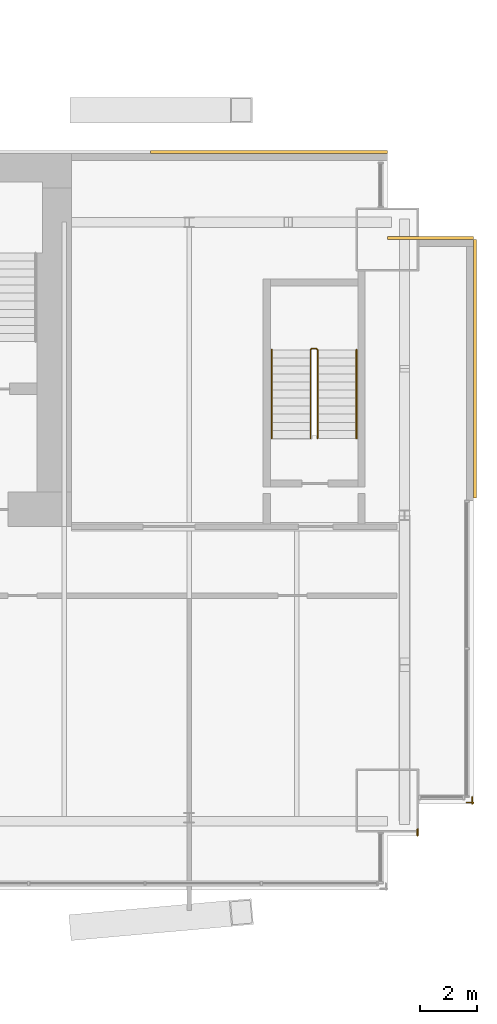
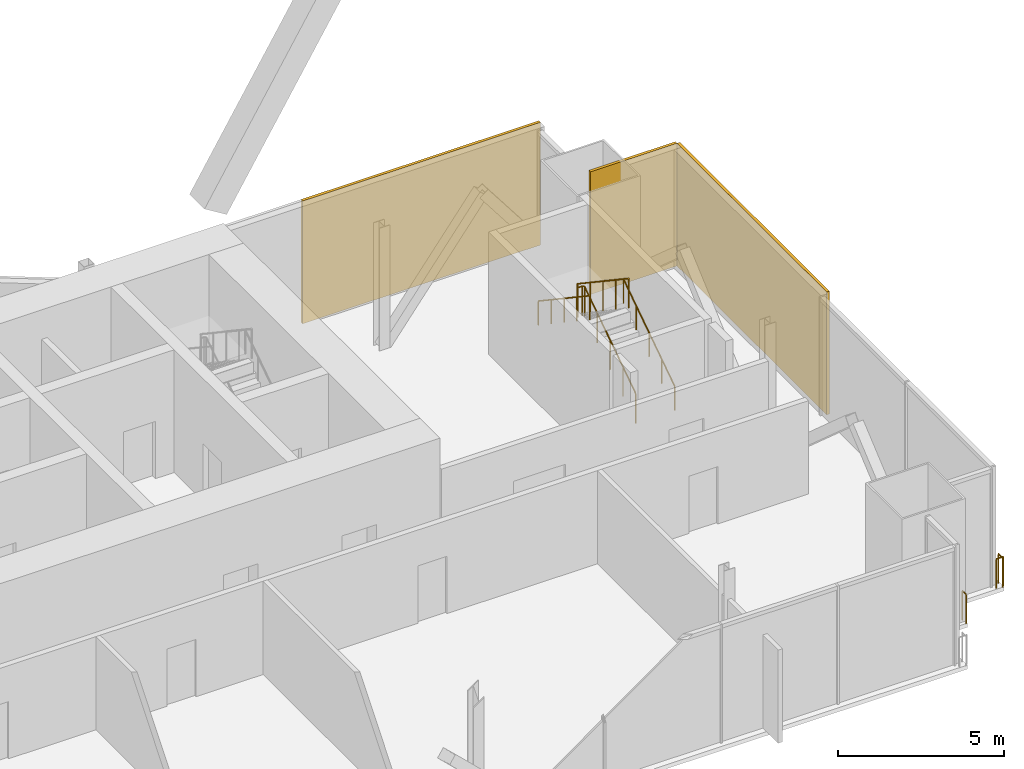
# One storey, part 19 of 19: 5 railings, 3 coverings.
"""IFC4 building model written with IfcOpenShell, lengths in metres."""

from ifc_helpers import new_model, si_unit, direction, frame, origin, origin_2d, place, context, subcontext, project, spatial, rectangle, circle, extrude, material, layer, layer_set, type_object, element, save


model = new_model("IFC4")

# Units and contexts
model_context = context("Model", 3, precision=1e-05, world=origin(), true_north=direction((0.0, 1.0)))
body_context = subcontext(model_context, "Body", "Model", "MODEL_VIEW")
ifc_project = project(units=[si_unit("LENGTHUNIT", "METRE"), si_unit("AREAUNIT", "SQUARE_METRE"), si_unit("VOLUMEUNIT", "CUBIC_METRE"), si_unit("PLANEANGLEUNIT", "RADIAN"), si_unit("MASSUNIT", "GRAM", prefix="KILO")], contexts=[model_context])

# Site, building, storey
site_placement = place(None, origin())
site = spatial("IfcSite", under=ifc_project, at=site_placement, CompositionType="ELEMENT")
building_placement = place(site_placement, origin())
building = spatial("IfcBuilding", under=site, at=building_placement, Name="Bicima Exchange Tower", CompositionType="ELEMENT")
storey_placement = place(building_placement, frame((0.0, 0.0, 324.5)))
storey = spatial("IfcBuildingStorey", under=building, at=storey_placement, Name="L73", CompositionType="ELEMENT", Elevation=324.5)

# Coverings
ifc_material_1 = material(Name="Bronze metal cladding")
ifc_layer_1 = layer(ifc_material_1, 0.004)
ifc_material_2 = material(Name="Ventilated cavity")
ifc_layer_2 = layer(ifc_material_2, 0.06)
ifc_material_3 = material(Name="Galvanised steel rail and mineral wool", Category="steel")
ifc_layer_3 = layer(ifc_material_3, 0.036)
ifc_layer_set = layer_set([ifc_layer_1, ifc_layer_2, ifc_layer_3], Name="Ventilated cavity")
covering_type = type_object("IfcCoveringType", Name="Bronze metal cladding panel 100", PredefinedType="CLADDING", material=ifc_layer_set)
covering_1_placement = place(storey_placement, frame((28.875, 0.050048828125, -0.14990234375), z_axis=(0.0, 0.0, 1.0), x_axis=(-1.0, 0.0, 0.0)))
element("IfcCovering", 1, at=covering_1_placement, inside=storey, type_object=covering_type, Name="Bronze cladding L73 1.1", PredefinedType="CLADDING", context=body_context, shape_type="SweptSolid", body=[
    extrude(rectangle(XDim=8.25, YDim=0.10009765625, at=origin_2d()), origin(), (0.0, 0.0, 1.0), 4.5),
])
covering_2_placement = place(storey_placement, frame((36.050048828125, -7.5, -0.14990234375), z_axis=(0.0, 0.0, 1.0), x_axis=(0.0, 1.0, 0.0)))
element("IfcCovering", 2, at=covering_2_placement, inside=storey, type_object=covering_type, Name="Bronze cladding L73 50.1", PredefinedType="CLADDING", context=body_context, shape_type="SweptSolid", body=[
    extrude(rectangle(XDim=9.0, YDim=0.10009765625, at=origin_2d()), origin(), (0.0, 0.0, 1.0), 4.5),
])
covering_3_placement = place(storey_placement, frame((34.5, -2.949951171875, -0.14990234375), z_axis=(0.0, 0.0, 1.0), x_axis=(-1.0, 0.0, 0.0)))
element("IfcCovering", 3, at=covering_3_placement, inside=storey, type_object=covering_type, Name="Bronze cladding L73 51.1", PredefinedType="CLADDING", context=body_context, shape_type="SweptSolid", body=[
    extrude(rectangle(XDim=3.0, YDim=0.10009765625, at=origin_2d()), origin(), (0.0, 0.0, 1.0), 4.5),
])

# Railings
ifc_material_4 = material(Name="Stainless steel and bonded safety glass", Category="steel")
railing_type_1 = type_object("IfcRailingType", Name="Edge guard 1100", PredefinedType="GUARDRAIL", material=ifc_material_4)
railing_1_placement = place(storey_placement, frame((35.949951171875, -22.403076171875, 0.0)))
element("IfcRailing", 4, at=railing_1_placement, inside=storey, type_object=railing_type_1, Name="Edge guard L73 380", PredefinedType="GUARDRAIL", context=body_context, shape_type="SweptSolid", body=[
    extrude(circle(Radius=0.02392578125, at=origin_2d()), frame((0.0, 0.0, 1.076171875), z_axis=(0.0, -1.0, 0.0), x_axis=(1.0, 0.0, 0.0)), (0.0, 0.0, 1.0), 0.2490234375),
    extrude(circle(Radius=0.02392578125, at=origin_2d()), frame((0.0, -0.2490234375, 1.076171875), z_axis=(0.707106781187, 0.707106781187, 0.0), x_axis=(-0.707106781187, 0.707106781187, 0.0)), (0.0, 0.0, 1.0), 0.07080078125),
    extrude(circle(Radius=0.02392578125, at=origin_2d()), frame((0.050048828125, -0.198974609375, 1.076171875), z_axis=(-1.0, 0.0, 0.0), x_axis=(0.0, -1.0, 0.0)), (0.0, 0.0, 1.0), 0.237060546875),
    extrude(circle(Radius=0.02099609375, at=origin_2d()), origin(), (0.0, 0.0, 1.0), 1.052001953125),
    extrude(circle(Radius=0.02099609375, at=origin_2d()), frame((0.0, -0.2490234375, 0.0)), (0.0, 0.0, 1.0), 1.052001953125),
    extrude(circle(Radius=0.02099609375, at=origin_2d()), frame((0.050048828125, -0.198974609375, 0.0)), (0.0, 0.0, 1.0), 1.052001953125),
    extrude(circle(Radius=0.02099609375, at=origin_2d()), frame((-0.18701171875, -0.198974609375, 0.0)), (0.0, 0.0, 1.0), 1.052001953125),
])
railing_2_placement = place(storey_placement, frame((34.050048828125, -23.531982421875, 0.0)))
element("IfcRailing", 5, at=railing_2_placement, inside=storey, type_object=railing_type_1, Name="Edge guard L73 381", PredefinedType="GUARDRAIL", context=body_context, shape_type="SweptSolid", body=[
    extrude(circle(Radius=0.02392578125, at=origin_2d()), frame((0.0, 0.0, 1.076171875), z_axis=(0.0, -1.0, 0.0), x_axis=(1.0, 0.0, 0.0)), (0.0, 0.0, 1.0), 0.219970703125),
    extrude(circle(Radius=0.02099609375, at=origin_2d()), origin(), (0.0, 0.0, 1.0), 1.052001953125),
    extrude(circle(Radius=0.02099609375, at=origin_2d()), frame((0.0, -0.219970703125, 0.0)), (0.0, 0.0, 1.0), 1.052001953125),
])
ifc_material_5 = material(Name="Stainless steel", Category="steel")
railing_type_2 = type_object("IfcRailingType", Name="Stair guard 1100", PredefinedType="GUARDRAIL", material=ifc_material_5)
railing_3_placement = place(storey_placement, frame((30.574951171875, -9.925048828125, 0.1875)))
element("IfcRailing", 6, at=railing_3_placement, inside=storey, type_object=railing_type_2, Name="L73 ST-EE stair guard 1", PredefinedType="GUARDRAIL", context=body_context, shape_type="SweptSolid", body=[
    extrude(circle(Radius=0.02392578125, at=origin_2d()), frame((0.0, 0.0, 1.076171875), z_axis=(0.0, 0.830913701846, 0.55640131208), x_axis=(-1.0, 0.0, 0.0)), (0.0, 0.0, 1.0), 3.706787109375),
    extrude(circle(Radius=0.02392578125, at=origin_2d()), frame((0.0, 3.080078125, 3.138671875), z_axis=(-0.707106781187, 0.707106781187, 0.0), x_axis=(-0.707106781187, -0.707106781187, 0.0)), (0.0, 0.0, 1.0), 0.07080078125),
    extrude(circle(Radius=0.02392578125, at=origin_2d()), frame((-0.050048828125, 3.130126953125, 3.138671875), z_axis=(-1.0, 0.0, 0.0), x_axis=(0.0, -1.0, 0.0)), (0.0, 0.0, 1.0), 0.14990234375),
    extrude(circle(Radius=0.02392578125, at=origin_2d()), frame((-0.199951171875, 3.130126953125, 3.138671875), z_axis=(-0.249726431254, -0.249726431254, 0.935560483917), x_axis=(0.707106781187, -0.707106781187, 0.0)), (0.0, 0.0, 1.0), 0.200439453125),
    extrude(circle(Radius=0.02392578125, at=origin_2d()), frame((-0.25, 3.080078125, 3.326171875), z_axis=(0.0, -0.830913701846, 0.55640131208), x_axis=(1.0, 0.0, 0.0)), (0.0, 0.0, 1.0), 3.706787109375),
    extrude(circle(Radius=0.02099609375, at=origin_2d()), origin(), (0.0, 0.0, 1.0), 1.052001953125),
    extrude(circle(Radius=0.02099609375, at=origin_2d()), frame((0.0, 0.77001953125, 0.515625)), (0.0, 0.0, 1.0), 1.052001953125),
    extrude(circle(Radius=0.02099609375, at=origin_2d()), frame((0.0, 1.5400390625, 1.03125)), (0.0, 0.0, 1.0), 1.052001953125),
    extrude(circle(Radius=0.02099609375, at=origin_2d()), frame((0.0, 2.31005859375, 1.546875)), (0.0, 0.0, 1.0), 1.052001953125),
    extrude(circle(Radius=0.02099609375, at=origin_2d()), frame((0.0, 3.080078125, 2.0625)), (0.0, 0.0, 1.0), 1.052001953125),
    extrude(circle(Radius=0.02099609375, at=origin_2d()), frame((-0.050048828125, 3.130126953125, 2.0625)), (0.0, 0.0, 1.0), 1.052001953125),
    extrude(circle(Radius=0.02099609375, at=origin_2d()), frame((-0.199951171875, 3.130126953125, 2.0625)), (0.0, 0.0, 1.0), 1.052001953125),
    extrude(circle(Radius=0.02099609375, at=origin_2d()), frame((-0.25, 3.080078125, 2.25)), (0.0, 0.0, 1.0), 1.052001953125),
    extrude(circle(Radius=0.02099609375, at=origin_2d()), frame((-0.25, 2.31005859375, 2.765625)), (0.0, 0.0, 1.0), 1.052001953125),
    extrude(circle(Radius=0.02099609375, at=origin_2d()), frame((-0.25, 1.5400390625, 3.28125)), (0.0, 0.0, 1.0), 1.052001953125),
    extrude(circle(Radius=0.02099609375, at=origin_2d()), frame((-0.25, 0.77001953125, 3.796875)), (0.0, 0.0, 1.0), 1.052001953125),
    extrude(circle(Radius=0.02099609375, at=origin_2d()), frame((-0.25, 0.0, 4.3125)), (0.0, 0.0, 1.0), 1.052001953125),
])
railing_type_3 = type_object("IfcRailingType", Name="Stair handrail 900", PredefinedType="HANDRAIL", material=ifc_material_5)
railing_4_placement = place(storey_placement, frame((31.925048828125, -9.925048828125, 0.1875)))
element("IfcRailing", 7, at=railing_4_placement, inside=storey, type_object=railing_type_3, Name="L73 ST-EE stair handrail 1", PredefinedType="HANDRAIL", context=body_context, shape_type="SweptSolid", body=[
    extrude(circle(Radius=0.02392578125, at=origin_2d()), frame((0.0, 0.0, 0.8759765625), z_axis=(0.0, 0.830913701846, 0.55640131208), x_axis=(-1.0, 0.0, 0.0)), (0.0, 0.0, 1.0), 3.706787109375),
    extrude(circle(Radius=0.02099609375, at=origin_2d()), origin(), (0.0, 0.0, 1.0), 0.851806640625),
    extrude(circle(Radius=0.02099609375, at=origin_2d()), frame((0.0, 0.77001953125, 0.515625)), (0.0, 0.0, 1.0), 0.851806640625),
    extrude(circle(Radius=0.02099609375, at=origin_2d()), frame((0.0, 1.5400390625, 1.03125)), (0.0, 0.0, 1.0), 0.851806640625),
    extrude(circle(Radius=0.02099609375, at=origin_2d()), frame((0.0, 2.31005859375, 1.546875)), (0.0, 0.0, 1.0), 0.851806640625),
    extrude(circle(Radius=0.02099609375, at=origin_2d()), frame((0.0, 3.080078125, 2.0625)), (0.0, 0.0, 1.0), 0.851806640625),
])
railing_5_placement = place(storey_placement, frame((28.97509765625, -6.844970703125, 2.47900390625)))
element("IfcRailing", 8, at=railing_5_placement, inside=storey, type_object=railing_type_3, Name="L73 ST-EE stair handrail 2", PredefinedType="HANDRAIL", context=body_context, shape_type="SweptSolid", body=[
    extrude(circle(Radius=0.02392578125, at=origin_2d()), frame((0.0, 0.0, 0.8759765625), z_axis=(0.0, -0.830913701846, 0.55640131208), x_axis=(1.0, 0.0, 0.0)), (0.0, 0.0, 1.0), 3.706787109375),
    extrude(circle(Radius=0.02099609375, at=origin_2d()), origin(), (0.0, 0.0, 1.0), 0.851806640625),
    extrude(circle(Radius=0.02099609375, at=origin_2d()), frame((0.0, -0.77001953125, 0.515625)), (0.0, 0.0, 1.0), 0.851806640625),
    extrude(circle(Radius=0.02099609375, at=origin_2d()), frame((0.0, -1.5400390625, 1.03125)), (0.0, 0.0, 1.0), 0.851806640625),
    extrude(circle(Radius=0.02099609375, at=origin_2d()), frame((0.0, -2.31005859375, 1.546875)), (0.0, 0.0, 1.0), 0.851806640625),
    extrude(circle(Radius=0.02099609375, at=origin_2d()), frame((0.0, -3.080078125, 2.0625)), (0.0, 0.0, 1.0), 0.851806640625),
])

save(model, "model.ifc")
